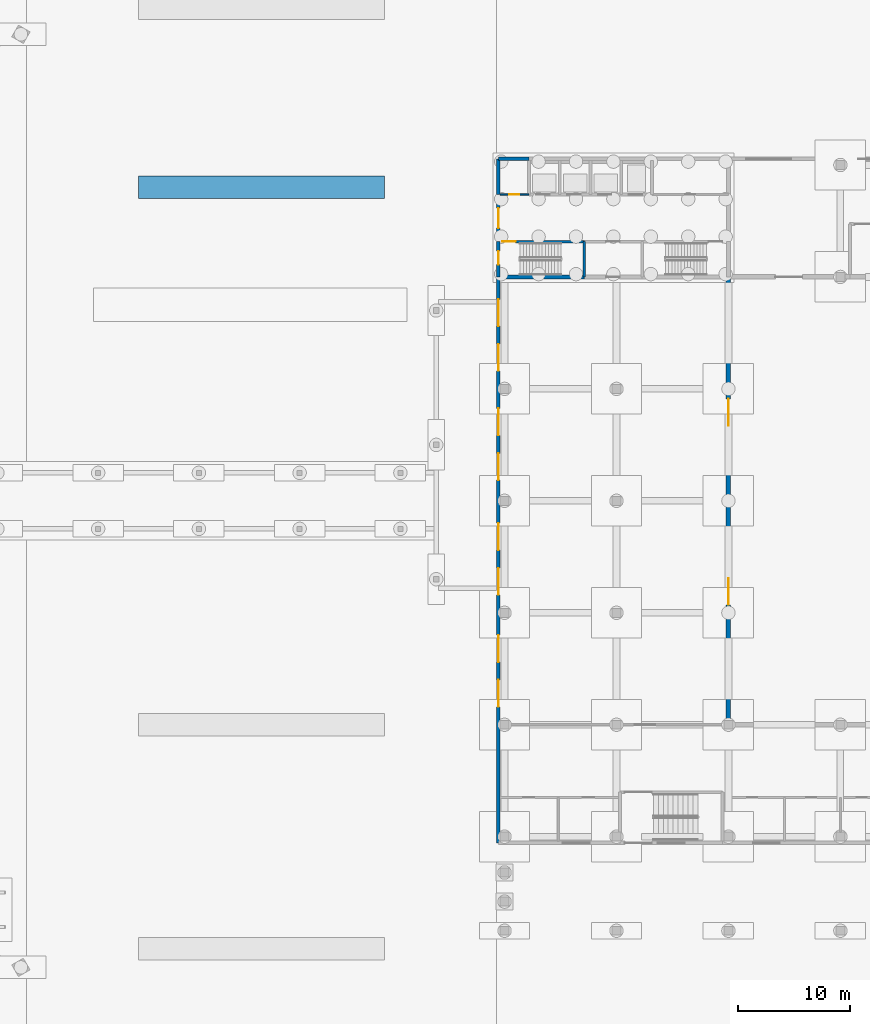
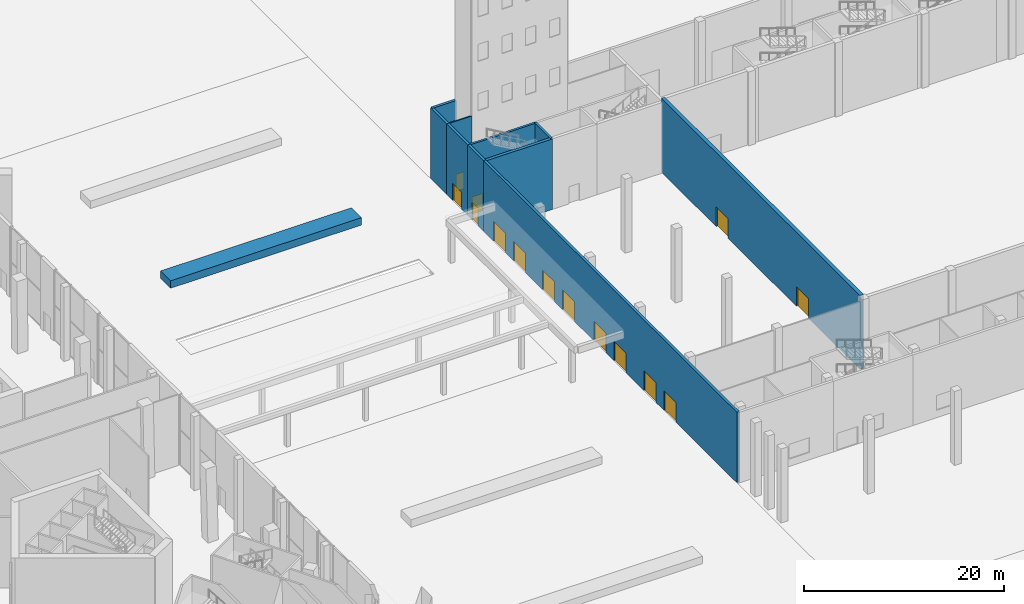
# One storey, part 35 of 63: 14 doors, 11 walls, 14 openings.
"""IFC4 building model written with IfcOpenShell, lengths in metres."""

from ifc_helpers import new_model, si_unit, direction, frame, frame_2d, origin, place, context, subcontext, project, spatial, rectangle, extrude, material, layer, layer_set, type_object, element, fill, save


model = new_model("IFC4")

# Units and contexts
model_context = context("Model", 3, precision=1e-05, world=origin(), true_north=direction((0.0, 1.0)))
body_context = subcontext(model_context, "Body", "Model", "MODEL_VIEW")
ifc_project = project(units=[si_unit("LENGTHUNIT", "METRE"), si_unit("AREAUNIT", "SQUARE_METRE"), si_unit("VOLUMEUNIT", "CUBIC_METRE"), si_unit("PLANEANGLEUNIT", "RADIAN"), si_unit("MASSUNIT", "GRAM", prefix="KILO")], contexts=[model_context])

# Site, building, storey
site_placement = place(None, origin())
site = spatial("IfcSite", under=ifc_project, at=site_placement, CompositionType="ELEMENT")
building_placement = place(site_placement, origin())
building = spatial("IfcBuilding", under=site, at=building_placement, Name="Jabali Bay Hotel Tower and Convention Centre", CompositionType="ELEMENT")
storey_placement = place(building_placement, origin())
storey = spatial("IfcBuildingStorey", under=building, at=storey_placement, Name="L00", CompositionType="ELEMENT", Elevation=0.0)

# Walls
ifc_material_1 = material(Name="Concrete C60", Category="concrete")
ifc_layer_1 = layer(ifc_material_1, 0.35009765625)
ifc_layer_set_1 = layer_set([ifc_layer_1], Name="Concrete C60")
wall_type_1 = type_object("IfcWallType", Name="CC Core Wall 350", PredefinedType="SHEAR", material=ifc_layer_set_1)
wall_1_placement = place(storey_placement, frame((150.300048828125, 100.0, 0.0), z_axis=(0.0, 0.0, 1.0), x_axis=(1.0, 0.0, 0.0)))
element("IfcWall", 1, at=wall_1_placement, inside=storey, type_object=wall_type_1, Name="CC west core wall", PredefinedType="SHEAR", context=body_context, shape_type="SweptSolid", body=[
    extrude(rectangle(XDim=7.52490234375, YDim=0.35009765625, at=frame_2d((3.762451171875, 0.0))), origin(), (0.0, 0.0, 1.0), 8.590087890625),
])
ifc_material_2 = material(Name="Concrete C40", Category="concrete")
ifc_layer_2 = layer(ifc_material_2, 0.300048828125)
ifc_layer_set_2 = layer_set([ifc_layer_2], Name="Concrete C40")
wall_type_2 = type_object("IfcWallType", Name="CC External Wall 300", PredefinedType="SOLIDWALL", material=ifc_layer_set_2)
wall_2_placement = place(storey_placement, frame((150.14990234375, 110.550048828125, 0.0), z_axis=(0.0, 0.0, 1.0), x_axis=(1.0, 0.0, 0.0)))
element("IfcWall", 2, at=wall_2_placement, inside=storey, type_object=wall_type_2, Name="CC wall 150", PredefinedType="SOLIDWALL", context=body_context, shape_type="SweptSolid", body=[
    extrude(rectangle(XDim=2.72509765625, YDim=0.300048828125, at=frame_2d((1.362548828125, 0.0))), origin(), (0.0, 0.0, 1.0), 8.590087890625),
])
wall_3_placement = place(storey_placement, frame((150.14990234375, 107.375, 0.0), z_axis=(0.0, 0.0, 1.0), x_axis=(0.0, 1.0, 0.0)))
element("IfcWall", 3, at=wall_3_placement, inside=storey, type_object=wall_type_2, Name="CC wall 151", PredefinedType="SOLIDWALL", context=body_context, shape_type="SweptSolid", body=[
    extrude(rectangle(XDim=3.175048828125, YDim=0.300048828125, at=frame_2d((1.58740234375, 0.0))), origin(), (0.0, 0.0, 1.0), 8.590087890625),
])

# Wall, openings, doors
wall_4_placement = place(storey_placement, frame((150.14990234375, 49.449951171875, 0.0), z_axis=(0.0, 0.0, 1.0), x_axis=(0.0, 1.0, 0.0)))
wall_4 = element("IfcWall", 4, at=wall_4_placement, inside=storey, type_object=wall_type_2, Name="CC wall 254", PredefinedType="SOLIDWALL", context=body_context, shape_type="SweptSolid", body=[
    extrude(rectangle(XDim=50.550048828125, YDim=0.300048828125, at=frame_2d((25.27490234375, 0.0))), origin(), (0.0, 0.0, 1.0), 8.590087890625),
])
opening_1_placement = place(wall_4_placement, frame((32.39990234375, 0.0, 0.0)))
opening_1 = element("IfcOpeningElement", 5, at=opening_1_placement, cuts=wall_4, Name="Opening CC-D093", PredefinedType="OPENING", context=body_context, shape_type="SweptSolid", body=[
    extrude(rectangle(XDim=2.39990234375, YDim=2.39990234375, at=frame_2d((1.199951171875, 1.199951171875))), frame((0.0, 0.16064453125, 0.0), z_axis=(0.0, -1.0, 0.0), x_axis=(1.0, 0.0, 0.0)), (0.0, 0.0, 1.0), 0.321044921875),
])
opening_2_placement = place(wall_4_placement, frame((36.39990234375, 0.0, 0.0)))
opening_2 = element("IfcOpeningElement", 6, at=opening_2_placement, cuts=wall_4, Name="Opening CC-D094", PredefinedType="OPENING", context=body_context, shape_type="SweptSolid", body=[
    extrude(rectangle(XDim=2.39990234375, YDim=2.39990234375, at=frame_2d((1.199951171875, 1.199951171875))), frame((0.0, 0.16064453125, 0.0), z_axis=(0.0, -1.0, 0.0), x_axis=(1.0, 0.0, 0.0)), (0.0, 0.0, 1.0), 0.321044921875),
])
opening_3_placement = place(wall_4_placement, frame((12.14990234375, 0.0, 0.0)))
opening_3 = element("IfcOpeningElement", 7, at=opening_3_placement, cuts=wall_4, Name="Opening CC-D095", PredefinedType="OPENING", context=body_context, shape_type="SweptSolid", body=[
    extrude(rectangle(XDim=2.39990234375, YDim=2.39990234375, at=frame_2d((1.199951171875, 1.199951171875))), frame((0.0, 0.16064453125, 0.0), z_axis=(0.0, -1.0, 0.0), x_axis=(1.0, 0.0, 0.0)), (0.0, 0.0, 1.0), 0.321044921875),
])
opening_4_placement = place(wall_4_placement, frame((16.14990234375, 0.0, 0.0)))
opening_4 = element("IfcOpeningElement", 8, at=opening_4_placement, cuts=wall_4, Name="Opening CC-D096", PredefinedType="OPENING", context=body_context, shape_type="SweptSolid", body=[
    extrude(rectangle(XDim=2.39990234375, YDim=2.39990234375, at=frame_2d((1.199951171875, 1.199951171875))), frame((0.0, 0.16064453125, 0.0), z_axis=(0.0, -1.0, 0.0), x_axis=(1.0, 0.0, 0.0)), (0.0, 0.0, 1.0), 0.321044921875),
])
opening_5_placement = place(wall_4_placement, frame((22.14990234375, 0.0, 0.0)))
opening_5 = element("IfcOpeningElement", 9, at=opening_5_placement, cuts=wall_4, Name="Opening CC-D097", PredefinedType="OPENING", context=body_context, shape_type="SweptSolid", body=[
    extrude(rectangle(XDim=2.39990234375, YDim=2.39990234375, at=frame_2d((1.199951171875, 1.199951171875))), frame((0.0, 0.16064453125, 0.0), z_axis=(0.0, -1.0, 0.0), x_axis=(1.0, 0.0, 0.0)), (0.0, 0.0, 1.0), 0.321044921875),
])
opening_6_placement = place(wall_4_placement, frame((26.14990234375, 0.0, 0.0)))
opening_6 = element("IfcOpeningElement", 10, at=opening_6_placement, cuts=wall_4, Name="Opening CC-D098", PredefinedType="OPENING", context=body_context, shape_type="SweptSolid", body=[
    extrude(rectangle(XDim=2.39990234375, YDim=2.39990234375, at=frame_2d((1.199951171875, 1.199951171875))), frame((0.0, 0.16064453125, 0.0), z_axis=(0.0, -1.0, 0.0), x_axis=(1.0, 0.0, 0.0)), (0.0, 0.0, 1.0), 0.321044921875),
])
opening_7_placement = place(wall_4_placement, frame((42.14990234375, 0.0, 0.0)))
opening_7 = element("IfcOpeningElement", 11, at=opening_7_placement, cuts=wall_4, Name="Opening CC-D099", PredefinedType="OPENING", context=body_context, shape_type="SweptSolid", body=[
    extrude(rectangle(XDim=2.39990234375, YDim=2.39990234375, at=frame_2d((1.199951171875, 1.199951171875))), frame((0.0, 0.16064453125, 0.0), z_axis=(0.0, -1.0, 0.0), x_axis=(1.0, 0.0, 0.0)), (0.0, 0.0, 1.0), 0.321044921875),
])
opening_8_placement = place(wall_4_placement, frame((46.14990234375, 0.0, 0.0)))
opening_8 = element("IfcOpeningElement", 12, at=opening_8_placement, cuts=wall_4, Name="Opening CC-D100", PredefinedType="OPENING", context=body_context, shape_type="SweptSolid", body=[
    extrude(rectangle(XDim=2.39990234375, YDim=2.39990234375, at=frame_2d((1.199951171875, 1.199951171875))), frame((0.0, 0.16064453125, 0.0), z_axis=(0.0, -1.0, 0.0), x_axis=(1.0, 0.0, 0.0)), (0.0, 0.0, 1.0), 0.321044921875),
])
ifc_material_3 = material(Name="Glazed aluminium door set", Category="aluminium")
door_type_1 = type_object("IfcDoorType", Name="CC Entrance Glazed Double Door 2400x2400", OperationType="NOTDEFINED", PredefinedType="DOOR", material=ifc_material_3)
door_1_placement = place(opening_1_placement, origin())
door_1 = element("IfcDoor", 13, at=door_1_placement, inside=storey, type_object=door_type_1, Name="CC door CC-D093", OperationType="DOUBLE_DOOR_SINGLE_SWING", OverallHeight=2.39990234375, OverallWidth=2.39990234375, PredefinedType="DOOR", context=body_context, shape_type="SweptSolid", body=[
    extrude(rectangle(XDim=2.39990234375, YDim=2.39990234375, at=frame_2d((1.199951171875, 1.199951171875))), frame((0.0, 0.02490234375, 0.0), z_axis=(0.0, -1.0, 0.0), x_axis=(1.0, 0.0, 0.0)), (0.0, 0.0, 1.0), 0.050048828125),
])
fill(opening_1, door_1)
door_2_placement = place(opening_2_placement, origin())
door_2 = element("IfcDoor", 14, at=door_2_placement, inside=storey, type_object=door_type_1, Name="CC door CC-D094", OperationType="DOUBLE_DOOR_SINGLE_SWING", OverallHeight=2.39990234375, OverallWidth=2.39990234375, PredefinedType="DOOR", context=body_context, shape_type="SweptSolid", body=[
    extrude(rectangle(XDim=2.39990234375, YDim=2.39990234375, at=frame_2d((1.199951171875, 1.199951171875))), frame((0.0, 0.02490234375, 0.0), z_axis=(0.0, -1.0, 0.0), x_axis=(1.0, 0.0, 0.0)), (0.0, 0.0, 1.0), 0.050048828125),
])
fill(opening_2, door_2)
door_3_placement = place(opening_3_placement, origin())
door_3 = element("IfcDoor", 15, at=door_3_placement, inside=storey, type_object=door_type_1, Name="CC door CC-D095", OperationType="DOUBLE_DOOR_SINGLE_SWING", OverallHeight=2.39990234375, OverallWidth=2.39990234375, PredefinedType="DOOR", context=body_context, shape_type="SweptSolid", body=[
    extrude(rectangle(XDim=2.39990234375, YDim=2.39990234375, at=frame_2d((1.199951171875, 1.199951171875))), frame((0.0, 0.02490234375, 0.0), z_axis=(0.0, -1.0, 0.0), x_axis=(1.0, 0.0, 0.0)), (0.0, 0.0, 1.0), 0.050048828125),
])
fill(opening_3, door_3)
door_4_placement = place(opening_4_placement, origin())
door_4 = element("IfcDoor", 16, at=door_4_placement, inside=storey, type_object=door_type_1, Name="CC door CC-D096", OperationType="DOUBLE_DOOR_SINGLE_SWING", OverallHeight=2.39990234375, OverallWidth=2.39990234375, PredefinedType="DOOR", context=body_context, shape_type="SweptSolid", body=[
    extrude(rectangle(XDim=2.39990234375, YDim=2.39990234375, at=frame_2d((1.199951171875, 1.199951171875))), frame((0.0, 0.02490234375, 0.0), z_axis=(0.0, -1.0, 0.0), x_axis=(1.0, 0.0, 0.0)), (0.0, 0.0, 1.0), 0.050048828125),
])
fill(opening_4, door_4)
door_5_placement = place(opening_5_placement, origin())
door_5 = element("IfcDoor", 17, at=door_5_placement, inside=storey, type_object=door_type_1, Name="CC door CC-D097", OperationType="DOUBLE_DOOR_SINGLE_SWING", OverallHeight=2.39990234375, OverallWidth=2.39990234375, PredefinedType="DOOR", context=body_context, shape_type="SweptSolid", body=[
    extrude(rectangle(XDim=2.39990234375, YDim=2.39990234375, at=frame_2d((1.199951171875, 1.199951171875))), frame((0.0, 0.02490234375, 0.0), z_axis=(0.0, -1.0, 0.0), x_axis=(1.0, 0.0, 0.0)), (0.0, 0.0, 1.0), 0.050048828125),
])
fill(opening_5, door_5)
door_6_placement = place(opening_6_placement, origin())
door_6 = element("IfcDoor", 18, at=door_6_placement, inside=storey, type_object=door_type_1, Name="CC door CC-D098", OperationType="DOUBLE_DOOR_SINGLE_SWING", OverallHeight=2.39990234375, OverallWidth=2.39990234375, PredefinedType="DOOR", context=body_context, shape_type="SweptSolid", body=[
    extrude(rectangle(XDim=2.39990234375, YDim=2.39990234375, at=frame_2d((1.199951171875, 1.199951171875))), frame((0.0, 0.02490234375, 0.0), z_axis=(0.0, -1.0, 0.0), x_axis=(1.0, 0.0, 0.0)), (0.0, 0.0, 1.0), 0.050048828125),
])
fill(opening_6, door_6)
door_7_placement = place(opening_7_placement, origin())
door_7 = element("IfcDoor", 19, at=door_7_placement, inside=storey, type_object=door_type_1, Name="CC door CC-D099", OperationType="DOUBLE_DOOR_SINGLE_SWING", OverallHeight=2.39990234375, OverallWidth=2.39990234375, PredefinedType="DOOR", context=body_context, shape_type="SweptSolid", body=[
    extrude(rectangle(XDim=2.39990234375, YDim=2.39990234375, at=frame_2d((1.199951171875, 1.199951171875))), frame((0.0, 0.02490234375, 0.0), z_axis=(0.0, -1.0, 0.0), x_axis=(1.0, 0.0, 0.0)), (0.0, 0.0, 1.0), 0.050048828125),
])
fill(opening_7, door_7)
door_8_placement = place(opening_8_placement, origin())
door_8 = element("IfcDoor", 20, at=door_8_placement, inside=storey, type_object=door_type_1, Name="CC door CC-D100", OperationType="DOUBLE_DOOR_SINGLE_SWING", OverallHeight=2.39990234375, OverallWidth=2.39990234375, PredefinedType="DOOR", context=body_context, shape_type="SweptSolid", body=[
    extrude(rectangle(XDim=2.39990234375, YDim=2.39990234375, at=frame_2d((1.199951171875, 1.199951171875))), frame((0.0, 0.02490234375, 0.0), z_axis=(0.0, -1.0, 0.0), x_axis=(1.0, 0.0, 0.0)), (0.0, 0.0, 1.0), 0.050048828125),
])
fill(opening_8, door_8)

# Wall, opening, door
wall_5_placement = place(storey_placement, frame((150.14990234375, 100.0, 0.0), z_axis=(0.0, 0.0, 1.0), x_axis=(0.0, 1.0, 0.0)))
wall_5 = element("IfcWall", 21, at=wall_5_placement, inside=storey, type_object=wall_type_2, Name="CC wall 255", PredefinedType="SOLIDWALL", context=body_context, shape_type="SweptSolid", body=[
    extrude(rectangle(XDim=3.14990234375, YDim=0.300048828125, at=frame_2d((1.574951171875, 0.0))), origin(), (0.0, 0.0, 1.0), 8.590087890625),
])
opening_9_placement = place(wall_5_placement, frame((1.10009765625, 0.0, 0.0)))
opening_9 = element("IfcOpeningElement", 22, at=opening_9_placement, cuts=wall_5, Name="Opening CC-D173", PredefinedType="OPENING", context=body_context, shape_type="SweptSolid", body=[
    extrude(rectangle(XDim=1.199951171875, YDim=2.10009765625, at=frame_2d((0.60009765625, 1.050048828125))), frame((0.0, 0.16064453125, 0.0), z_axis=(0.0, -1.0, 0.0), x_axis=(1.0, 0.0, 0.0)), (0.0, 0.0, 1.0), 0.321044921875),
])
ifc_material_4 = material(Name="Timber and steel door set", Category="steel")
door_type_2 = type_object("IfcDoorType", Name="CC Stair Door 1200x2100", OperationType="NOTDEFINED", PredefinedType="DOOR", material=ifc_material_4)
door_9_placement = place(opening_9_placement, origin())
door_9 = element("IfcDoor", 23, at=door_9_placement, inside=storey, type_object=door_type_2, Name="CC door CC-D173", OperationType="SINGLE_SWING_LEFT", OverallHeight=2.10009765625, OverallWidth=1.199951171875, PredefinedType="DOOR", context=body_context, shape_type="SweptSolid", body=[
    extrude(rectangle(XDim=1.199951171875, YDim=2.10009765625, at=frame_2d((0.60009765625, 1.050048828125))), frame((0.0, 0.02490234375, 0.0), z_axis=(0.0, -1.0, 0.0), x_axis=(1.0, 0.0, 0.0)), (0.0, 0.0, 1.0), 0.050048828125),
])
fill(opening_9, door_9)

wall_6_placement = place(storey_placement, frame((150.14990234375, 103.14990234375, 0.0), z_axis=(0.0, 0.0, 1.0), x_axis=(0.0, 1.0, 0.0)))
wall_6 = element("IfcWall", 24, at=wall_6_placement, inside=storey, type_object=wall_type_2, Name="CC wall 256", PredefinedType="SOLIDWALL", context=body_context, shape_type="SweptSolid", body=[
    extrude(rectangle(XDim=4.22509765625, YDim=0.300048828125, at=frame_2d((2.112548828125, 0.0))), origin(), (0.0, 0.0, 1.0), 8.590087890625),
])
opening_10_placement = place(wall_6_placement, frame((1.199951171875, 0.0, 0.0)))
opening_10 = element("IfcOpeningElement", 25, at=opening_10_placement, cuts=wall_6, Name="Opening CC-D174", PredefinedType="OPENING", context=body_context, shape_type="SweptSolid", body=[
    extrude(rectangle(XDim=1.800048828125, YDim=2.10009765625, at=frame_2d((0.89990234375, 1.050048828125))), frame((0.0, 0.16064453125, 0.0), z_axis=(0.0, -1.0, 0.0), x_axis=(1.0, 0.0, 0.0)), (0.0, 0.0, 1.0), 0.321044921875),
])
door_type_3 = type_object("IfcDoorType", Name="CC Exit Double Door 1800x2100", OperationType="NOTDEFINED", PredefinedType="DOOR", material=ifc_material_4)
door_10_placement = place(opening_10_placement, origin())
door_10 = element("IfcDoor", 26, at=door_10_placement, inside=storey, type_object=door_type_3, Name="CC door CC-D174", OperationType="DOUBLE_DOOR_SINGLE_SWING", OverallHeight=2.10009765625, OverallWidth=1.800048828125, PredefinedType="DOOR", context=body_context, shape_type="SweptSolid", body=[
    extrude(rectangle(XDim=1.800048828125, YDim=2.10009765625, at=frame_2d((0.89990234375, 1.050048828125))), frame((0.0, 0.02490234375, 0.0), z_axis=(0.0, -1.0, 0.0), x_axis=(1.0, 0.0, 0.0)), (0.0, 0.0, 1.0), 0.050048828125),
])
fill(opening_10, door_10)

# Wall, openings, doors
ifc_layer_3 = layer(ifc_material_2, 0.39990234375)
ifc_layer_set_3 = layer_set([ifc_layer_3], Name="Concrete C40")
wall_type_3 = type_object("IfcWallType", Name="CC Hall Wall 400", PredefinedType="SHEAR", material=ifc_layer_set_3)
wall_7_placement = place(storey_placement, frame((170.699951171875, 60.39990234375, 0.0), z_axis=(0.0, 0.0, 1.0), x_axis=(0.0, 1.0, 0.0)))
wall_7 = element("IfcWall", 27, at=wall_7_placement, inside=storey, type_object=wall_type_3, Name="CC exhibition hall wall", PredefinedType="SHEAR", context=body_context, shape_type="SweptSolid", body=[
    extrude(rectangle(XDim=39.60009765625, YDim=0.39990234375, at=frame_2d((19.800048828125, 0.0))), origin(), (0.0, 0.0, 1.0), 9.0),
])
opening_11_placement = place(wall_7_placement, frame((10.300048828125, 0.0, 0.0)))
opening_11 = element("IfcOpeningElement", 28, at=opening_11_placement, cuts=wall_7, Name="Opening CC-D068", PredefinedType="OPENING", context=body_context, shape_type="SweptSolid", body=[
    extrude(rectangle(XDim=2.39990234375, YDim=2.39990234375, at=frame_2d((1.199951171875, 1.199951171875))), frame((0.0, 0.21044921875, 0.0), z_axis=(0.0, -1.0, 0.0), x_axis=(1.0, 0.0, 0.0)), (0.0, 0.0, 1.0), 0.4208984375),
])
opening_12_placement = place(wall_7_placement, frame((26.300048828125, 0.0, 0.0)))
opening_12 = element("IfcOpeningElement", 29, at=opening_12_placement, cuts=wall_7, Name="Opening CC-D069", PredefinedType="OPENING", context=body_context, shape_type="SweptSolid", body=[
    extrude(rectangle(XDim=2.39990234375, YDim=2.39990234375, at=frame_2d((1.199951171875, 1.199951171875))), frame((0.0, 0.21044921875, 0.0), z_axis=(0.0, -1.0, 0.0), x_axis=(1.0, 0.0, 0.0)), (0.0, 0.0, 1.0), 0.4208984375),
])
door_type_4 = type_object("IfcDoorType", Name="CC Hall Double Door 2400x2400", OperationType="NOTDEFINED", PredefinedType="DOOR", material=ifc_material_4)
door_11_placement = place(opening_11_placement, origin())
door_11 = element("IfcDoor", 30, at=door_11_placement, inside=storey, type_object=door_type_4, Name="CC door CC-D068", OperationType="DOUBLE_DOOR_SINGLE_SWING", OverallHeight=2.39990234375, OverallWidth=2.39990234375, PredefinedType="DOOR", context=body_context, shape_type="SweptSolid", body=[
    extrude(rectangle(XDim=2.39990234375, YDim=2.39990234375, at=frame_2d((1.199951171875, 1.199951171875))), frame((0.0, 0.02490234375, 0.0), z_axis=(0.0, -1.0, 0.0), x_axis=(1.0, 0.0, 0.0)), (0.0, 0.0, 1.0), 0.050048828125),
])
fill(opening_11, door_11)
door_12_placement = place(opening_12_placement, origin())
door_12 = element("IfcDoor", 31, at=door_12_placement, inside=storey, type_object=door_type_4, Name="CC door CC-D069", OperationType="DOUBLE_DOOR_SINGLE_SWING", OverallHeight=2.39990234375, OverallWidth=2.39990234375, PredefinedType="DOOR", context=body_context, shape_type="SweptSolid", body=[
    extrude(rectangle(XDim=2.39990234375, YDim=2.39990234375, at=frame_2d((1.199951171875, 1.199951171875))), frame((0.0, 0.02490234375, 0.0), z_axis=(0.0, -1.0, 0.0), x_axis=(1.0, 0.0, 0.0)), (0.0, 0.0, 1.0), 0.050048828125),
])
fill(opening_12, door_12)

# Wall, opening, door
ifc_material_5 = material(Name="Blockwork M10", Category="masonry")
ifc_layer_4 = layer(ifc_material_5, 0.14990234375)
ifc_layer_set_4 = layer_set([ifc_layer_4], Name="Blockwork M10")
wall_type_4 = type_object("IfcWallType", Name="CC Partition 150", PredefinedType="PARTITIONING", material=ifc_layer_set_4)
wall_8_placement = place(storey_placement, frame((150.300048828125, 107.375, 0.0), z_axis=(0.0, 0.0, 1.0), x_axis=(1.0, 0.0, 0.0)))
wall_8 = element("IfcWall", 32, at=wall_8_placement, inside=storey, type_object=wall_type_4, Name="CC wall 149", PredefinedType="PARTITIONING", context=body_context, shape_type="SweptSolid", body=[
    extrude(rectangle(XDim=2.574951171875, YDim=0.14990234375, at=frame_2d((1.28759765625, 0.0))), origin(), (0.0, 0.0, 1.0), 8.590087890625),
])
opening_13_placement = place(wall_8_placement, frame((0.800048828125, 0.0, 0.0)))
opening_13 = element("IfcOpeningElement", 33, at=opening_13_placement, cuts=wall_8, Name="Opening CC-D135", PredefinedType="OPENING", context=body_context, shape_type="SweptSolid", body=[
    extrude(rectangle(XDim=0.89990234375, YDim=2.10009765625, at=frame_2d((0.449951171875, 1.050048828125))), frame((0.0, 0.08544921875, 0.0), z_axis=(0.0, -1.0, 0.0), x_axis=(1.0, 0.0, 0.0)), (0.0, 0.0, 1.0), 0.1708984375),
])
door_type_5 = type_object("IfcDoorType", Name="CC Riser Door 900x2100", OperationType="NOTDEFINED", PredefinedType="DOOR", material=ifc_material_4)
door_13_placement = place(opening_13_placement, origin())
door_13 = element("IfcDoor", 34, at=door_13_placement, inside=storey, type_object=door_type_5, Name="CC door CC-D135", OperationType="SINGLE_SWING_LEFT", OverallHeight=2.10009765625, OverallWidth=0.89990234375, PredefinedType="DOOR", context=body_context, shape_type="SweptSolid", body=[
    extrude(rectangle(XDim=0.89990234375, YDim=2.10009765625, at=frame_2d((0.449951171875, 1.050048828125))), frame((0.0, 0.02490234375, 0.0), z_axis=(0.0, -1.0, 0.0), x_axis=(1.0, 0.0, 0.0)), (0.0, 0.0, 1.0), 0.050048828125),
])
fill(opening_13, door_13)

ifc_layer_5 = layer(ifc_material_2, 0.25)
ifc_layer_set_5 = layer_set([ifc_layer_5], Name="Concrete C40")
wall_type_5 = type_object("IfcWallType", Name="CC Shaft Wall 250", PredefinedType="SHEAR", material=ifc_layer_set_5)
wall_9_placement = place(storey_placement, frame((150.300048828125, 103.14990234375, 0.0), z_axis=(0.0, 0.0, 1.0), x_axis=(1.0, 0.0, 0.0)))
wall_9 = element("IfcWall", 35, at=wall_9_placement, inside=storey, type_object=wall_type_5, Name="CC west core wall", PredefinedType="SHEAR", context=body_context, shape_type="SweptSolid", body=[
    extrude(rectangle(XDim=7.52490234375, YDim=0.25, at=frame_2d((3.762451171875, 0.0))), origin(), (0.0, 0.0, 1.0), 8.590087890625),
])
opening_14_placement = place(wall_9_placement, frame((0.199951171875, 0.0, 0.0)))
opening_14 = element("IfcOpeningElement", 36, at=opening_14_placement, cuts=wall_9, Name="Opening CC-D128", PredefinedType="OPENING", context=body_context, shape_type="SweptSolid", body=[
    extrude(rectangle(XDim=1.199951171875, YDim=2.10009765625, at=frame_2d((0.60009765625, 1.050048828125))), frame((0.0, 0.135498046875, 0.0), z_axis=(0.0, -1.0, 0.0), x_axis=(1.0, 0.0, 0.0)), (0.0, 0.0, 1.0), 0.27099609375),
])
door_14_placement = place(opening_14_placement, origin())
door_14 = element("IfcDoor", 37, at=door_14_placement, inside=storey, type_object=door_type_2, Name="CC door CC-D128", OperationType="SINGLE_SWING_RIGHT", OverallHeight=2.10009765625, OverallWidth=1.199951171875, PredefinedType="DOOR", context=body_context, shape_type="SweptSolid", body=[
    extrude(rectangle(XDim=1.199951171875, YDim=2.10009765625, at=frame_2d((0.60009765625, 1.050048828125))), frame((0.0, 0.02490234375, 0.0), z_axis=(0.0, -1.0, 0.0), x_axis=(1.0, 0.0, 0.0)), (0.0, 0.0, 1.0), 0.050048828125),
])
fill(opening_14, door_14)

# Walls
wall_10_placement = place(storey_placement, frame((157.824951171875, 100.0, 0.0), z_axis=(0.0, 0.0, 1.0), x_axis=(0.0, 1.0, 0.0)))
element("IfcWall", 38, at=wall_10_placement, inside=storey, type_object=wall_type_5, Name="CC west core wall", PredefinedType="SHEAR", context=body_context, shape_type="SweptSolid", body=[
    extrude(rectangle(XDim=3.14990234375, YDim=0.25, at=frame_2d((1.574951171875, 0.0))), origin(), (0.0, 0.0, 1.0), 8.590087890625),
])
ifc_material_6 = material(Name="Concrete C30", Category="concrete")
ifc_layer_6 = layer(ifc_material_6, 2.0)
ifc_layer_set_6 = layer_set([ifc_layer_6], Name="Concrete C30")
wall_type_6 = type_object("IfcWallType", Name="SI Planter Wall 2000", PredefinedType="SOLIDWALL", material=ifc_layer_set_6)
wall_11_placement = place(storey_placement, frame((118.0, 108.0, 0.0), z_axis=(0.0, 0.0, 1.0), x_axis=(1.0, 0.0, 0.0)))
element("IfcWall", 39, at=wall_11_placement, inside=storey, type_object=wall_type_6, Name="Garden planter 3", PredefinedType="SOLIDWALL", context=body_context, shape_type="SweptSolid", body=[
    extrude(rectangle(XDim=22.0, YDim=2.0, at=frame_2d((11.0, 0.0))), origin(), (0.0, 0.0, 1.0), 0.89990234375),
])

save(model, "model.ifc")
